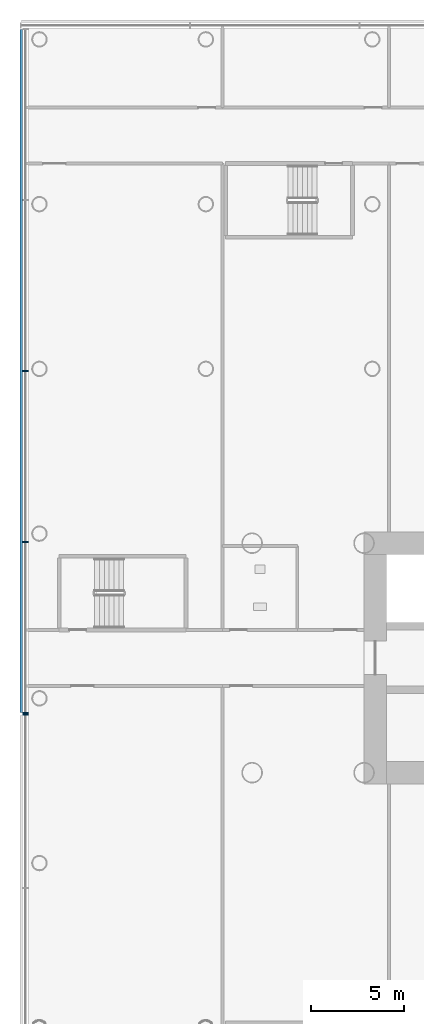
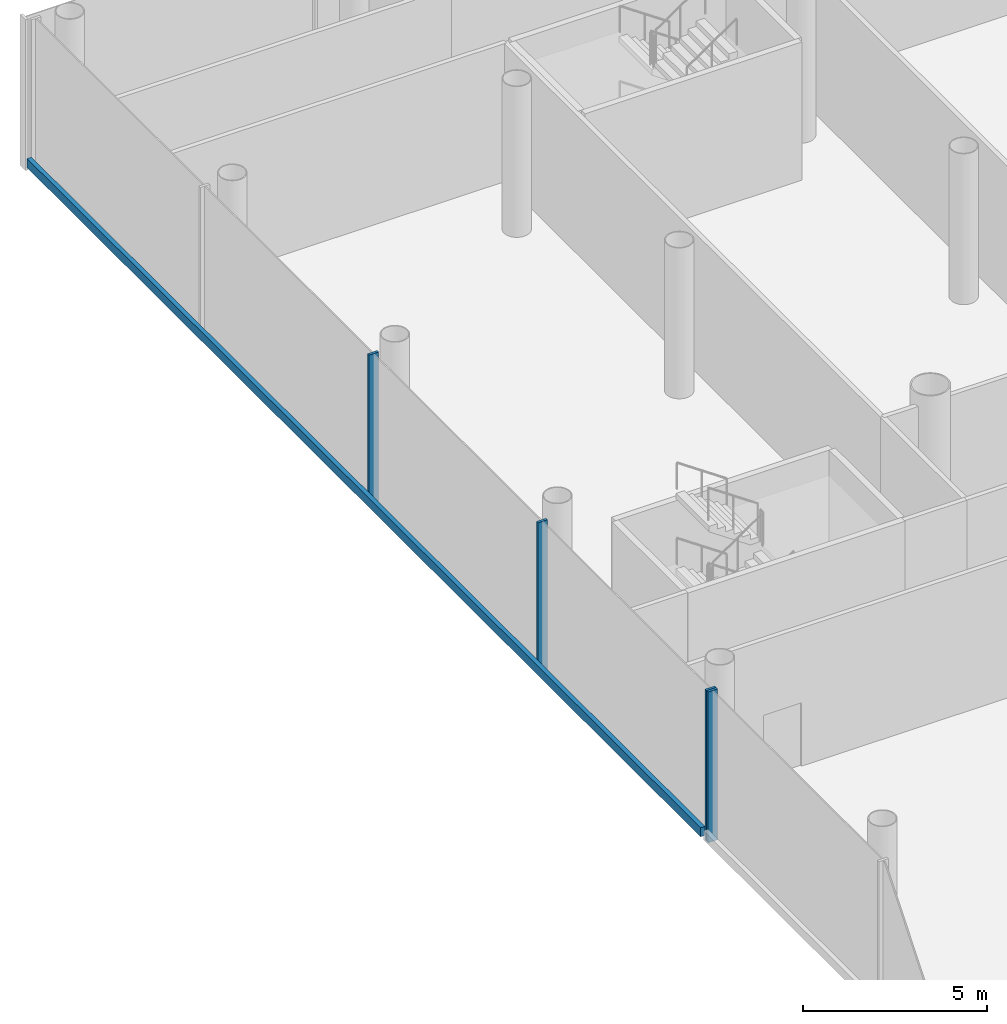
# One storey, part 7 of 59: 5 members, 2 elements without a shape of their own.
"""IFC4 building model written with IfcOpenShell, lengths in metres."""

from ifc_helpers import new_model, si_unit, direction, frame, origin, origin_2d, place, context, subcontext, project, spatial, rectangle, extrude, material, layer, layer_set, material_profile, profile_set, type_object, element, aggregate, save


model = new_model("IFC4")

# Units and contexts
model_context = context("Model", 3, precision=1e-05, world=origin(), true_north=direction((0.0, 1.0)))
body_context = subcontext(model_context, "Body", "Model", "MODEL_VIEW")
ifc_project = project(units=[si_unit("LENGTHUNIT", "METRE"), si_unit("AREAUNIT", "SQUARE_METRE"), si_unit("VOLUMEUNIT", "CUBIC_METRE"), si_unit("PLANEANGLEUNIT", "RADIAN"), si_unit("MASSUNIT", "GRAM", prefix="KILO")], contexts=[model_context])

# Site, building, storey
site_placement = place(None, origin())
site = spatial("IfcSite", under=ifc_project, at=site_placement, CompositionType="ELEMENT")
building_placement = place(site_placement, origin())
building = spatial("IfcBuilding", under=site, at=building_placement, Name="Ipe Terrace Towers", CompositionType="ELEMENT")
storey_placement = place(building_placement, frame((0.0, 0.0, 6.0)))
storey = spatial("IfcBuildingStorey", under=building, at=storey_placement, Name="L01", CompositionType="ELEMENT", Elevation=6.0)

# Curtain wall, members
ifc_material_1 = material(Name="Aluminium alloy 6063-T6", Category="aluminium")
ifc_layer = layer(ifc_material_1, 0.43994140625)
ifc_layer_set = layer_set([ifc_layer], Name="PODIUM GLAZING CURTAIN WALL")
curtain_wall_type = type_object("IfcCurtainWallType", Name="PODIUM GLAZING CURTAIN WALL", PredefinedType="NOTDEFINED", material=ifc_layer_set)
curtain_wall_1_placement = place(storey_placement, origin())
curtain_wall_1 = element("IfcCurtainWall", 1, at=curtain_wall_1_placement, inside=storey, type_object=curtain_wall_type, Name="POD-CW-L01-02a curtain wall", PredefinedType="NOTDEFINED")
ifc_material_2 = material(Name="Aluminium alloy 6063-T6", Category="aluminium")
ifc_material_profile_1 = material_profile(ifc_material_2, rectangle(XDim=0.300048828125, YDim=0.080078125, at=origin_2d()), Name="PODIUM GLAZING MULLION 300 x 80")
ifc_profile_set_1 = profile_set([ifc_material_profile_1], Name="Aluminium alloy 6063-T6")
member_type_1 = type_object("IfcMemberType", Name="PODIUM GLAZING MULLION 300 x 80", PredefinedType="MULLION", material=ifc_profile_set_1)
member_1_placement = place(storey_placement, frame((-69.89990234375, 15.375, -0.300048828125), z_axis=(0.0, 0.0, 1.0), x_axis=(-1.0, 0.0, 0.0)))
member_1 = element("IfcMember", 2, at=member_1_placement, type_object=member_type_1, Name="POD-CW-L01-02a mullion 3", PredefinedType="MULLION", context=body_context, shape_type="SweptSolid", body=[
    extrude(rectangle(XDim=0.300048828125, YDim=0.080078125, at=origin_2d()), origin(), (0.0, 0.0, 1.0), 5.0),
])
member_2_placement = place(storey_placement, frame((-69.89990234375, 6.20751953125, -0.300048828125), z_axis=(0.0, 0.0, 1.0), x_axis=(-1.0, 0.0, 0.0)))
member_2 = element("IfcMember", 3, at=member_2_placement, type_object=member_type_1, Name="POD-CW-L01-02a mullion 4", PredefinedType="MULLION", context=body_context, shape_type="SweptSolid", body=[
    extrude(rectangle(XDim=0.300048828125, YDim=0.080078125, at=origin_2d()), origin(), (0.0, 0.0, 1.0), 5.0),
])
member_3_placement = place(storey_placement, frame((-69.89990234375, -2.9599609375, -0.300048828125), z_axis=(0.0, 0.0, 1.0), x_axis=(-1.0, 0.0, 0.0)))
member_3 = element("IfcMember", 4, at=member_3_placement, type_object=member_type_1, Name="POD-CW-L01-02a mullion 5", PredefinedType="MULLION", context=body_context, shape_type="SweptSolid", body=[
    extrude(rectangle(XDim=0.300048828125, YDim=0.080078125, at=origin_2d()), origin(), (0.0, 0.0, 1.0), 5.0),
])

# Curtain wall, member
curtain_wall_2_placement = place(storey_placement, origin())
curtain_wall_2 = element("IfcCurtainWall", 5, at=curtain_wall_2_placement, inside=storey, type_object=curtain_wall_type, Name="POD-CW-L01-02b curtain wall", PredefinedType="NOTDEFINED")
member_4_placement = place(storey_placement, frame((-69.89990234375, -3.0400390625, -0.300048828125), z_axis=(0.0, 0.0, 1.0), x_axis=(-1.0, 0.0, 0.0)))
member_4 = element("IfcMember", 6, at=member_4_placement, type_object=member_type_1, Name="POD-CW-L01-02b mullion 1", PredefinedType="MULLION", context=body_context, shape_type="SweptSolid", body=[
    extrude(rectangle(XDim=0.300048828125, YDim=0.080078125, at=origin_2d()), origin(), (0.0, 0.0, 1.0), 5.0),
])
aggregate(curtain_wall_2, [member_4])

# Member
ifc_material_3 = material(Name="Aluminium alloy 6063-T6", Category="aluminium")
ifc_material_profile_2 = material_profile(ifc_material_3, rectangle(XDim=0.139892578125, YDim=0.300048828125, at=origin_2d()), Name="PODIUM GLAZING TRANSOM 140 x 300")
ifc_profile_set_2 = profile_set([ifc_material_profile_2], Name="Aluminium alloy 6063-T6")
member_type_2 = type_object("IfcMemberType", Name="PODIUM GLAZING TRANSOM 140 x 300", PredefinedType="USERDEFINED", material=ifc_profile_set_2)
member_5_placement = place(storey_placement, frame((-70.1201171875, 33.669921875, 0.0), z_axis=(0.0, -1.0, 0.0), x_axis=(-1.0, 0.0, 0.0)))
member_5 = element("IfcMember", 7, at=member_5_placement, type_object=member_type_2, Name="POD-CW-L01-02a transom", ObjectType="TRANSOM", PredefinedType="USERDEFINED", context=body_context, shape_type="SweptSolid", body=[
    extrude(rectangle(XDim=0.139892578125, YDim=0.300048828125, at=origin_2d()), origin(), (0.0, 0.0, 1.0), 36.58984375),
])

aggregate(curtain_wall_1, [member_1, member_2, member_3, member_5])

save(model, "model.ifc")
